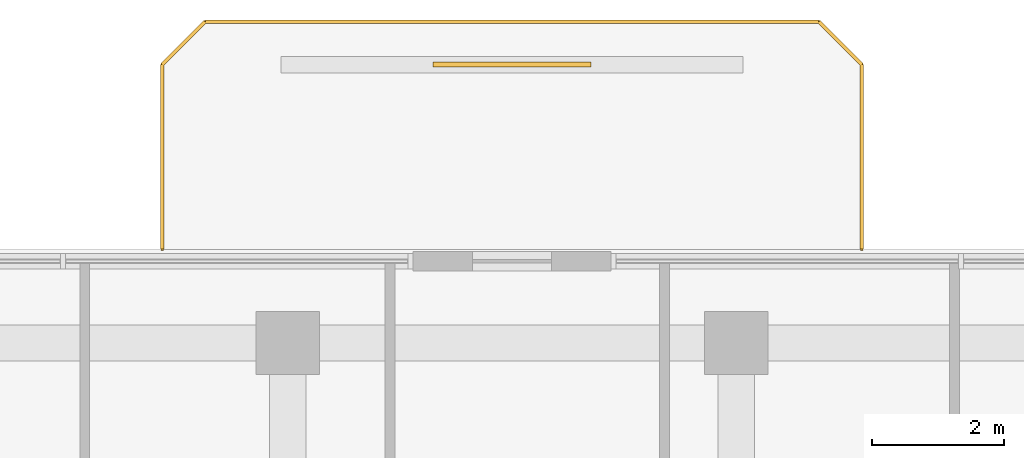
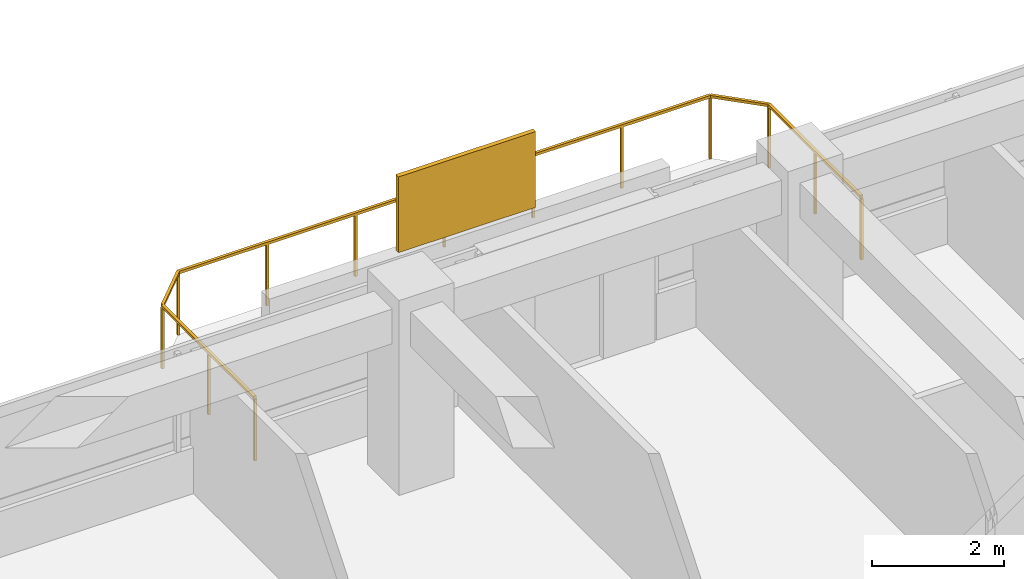
# One storey, part 12 of 12: 1 railing, 1 shading device.
"""IFC4 building model written with IfcOpenShell, lengths in metres."""

from ifc_helpers import new_model, si_unit, derived_unit, direction, frame, origin, origin_2d, place, context, subcontext, project, spatial, rectangle, extrude, material, layer, layer_set, type_object, element, save


model = new_model("IFC4")

# Units and contexts
model_context = context("Model", 3, precision=1e-05, world=origin(), true_north=direction((0.0, 1.0)))
body_context = subcontext(model_context, "Body", "Model", "MODEL_VIEW")
ifc_project = project(units=[si_unit("LENGTHUNIT", "METRE"), si_unit("AREAUNIT", "SQUARE_METRE"), si_unit("VOLUMEUNIT", "CUBIC_METRE"), si_unit("PLANEANGLEUNIT", "RADIAN"), si_unit("MASSUNIT", "GRAM", prefix="KILO"), derived_unit("THERMALTRANSMITTANCEUNIT", [(si_unit("POWERUNIT", "WATT"), 1), (si_unit("LENGTHUNIT", "METRE"), -2), (si_unit("THERMODYNAMICTEMPERATUREUNIT", "KELVIN"), -1)])], contexts=[model_context])

# Site, building, storey
site_placement = place(None, origin())
site = spatial("IfcSite", under=ifc_project, at=site_placement, CompositionType="ELEMENT")
building_placement = place(site_placement, origin())
building = spatial("IfcBuilding", under=site, at=building_placement, Name="Koralith Skygarden Medical Center", CompositionType="ELEMENT")
storey_placement = place(building_placement, frame((0.0, 0.0, 138.419921875)))
storey = spatial("IfcBuildingStorey", under=building, at=storey_placement, Name="L35", CompositionType="ELEMENT", Elevation=138.419921875)

# Railing
ifc_material_1 = material(Name="Steel ASTM A500 Grade C", Category="steel")
railing_type = type_object("IfcRailingType", Name="Outdoor Terrace & Balcony Safety Guardrail 1180", PredefinedType="GUARDRAIL", material=ifc_material_1)
railing_placement = place(storey_placement, frame((42.300048828125, 47.300048828125, 0.0)))
element("IfcRailing", 1, at=railing_placement, inside=storey, type_object=railing_type, Name="L35 N Balcony Perimeter Guardrail", PredefinedType="GUARDRAIL", context=body_context, shape_type="SweptSolid", body=[
    extrude(rectangle(XDim=0.050048828125, YDim=0.050048828125, at=origin_2d()), frame((0.0, 0.001953125, 1.15478515625), z_axis=(0.0, 1.0, 0.0), x_axis=(-1.0, 0.0, 0.0)), (0.0, 0.0, 1.0), 2.796142578125),
    extrude(rectangle(XDim=0.050048828125, YDim=0.050048828125, at=origin_2d()), frame((-0.00146484375, 2.801513671875, 1.15478515625), z_axis=(-0.707239558722, 0.706973978714, 0.0), x_axis=(-0.706973978714, -0.707239558722, 0.0)), (0.0, 0.0, 1.0), 0.915283203125),
    extrude(rectangle(XDim=0.050048828125, YDim=0.050048828125, at=origin_2d()), frame((-0.652099609375, 3.449951171875, 1.15478515625), z_axis=(-1.0, 0.0, 0.0), x_axis=(0.0, -1.0, 0.0)), (0.0, 0.0, 1.0), 9.2958984375),
    extrude(rectangle(XDim=0.050048828125, YDim=0.050048828125, at=origin_2d()), frame((-9.951416015625, 3.448486328125, 1.15478515625), z_axis=(-0.707239558722, -0.706973978714, 0.0), x_axis=(0.706973978714, -0.707239558722, 0.0)), (0.0, 0.0, 1.0), 0.915283203125),
    extrude(rectangle(XDim=0.050048828125, YDim=0.050048828125, at=origin_2d()), frame((-10.60009765625, 2.798095703125, 1.15478515625), z_axis=(0.0, -1.0, 0.0), x_axis=(1.0, 0.0, 0.0)), (0.0, 0.0, 1.0), 2.796142578125),
    extrude(rectangle(XDim=0.0419921875, YDim=0.0419921875, at=origin_2d()), origin(), (0.0, 0.0, 1.0), 1.1279296875),
    extrude(rectangle(XDim=0.0419921875, YDim=0.0419921875, at=origin_2d()), frame((0.0, 1.39990234375, 0.0)), (0.0, 0.0, 1.0), 1.1279296875),
    extrude(rectangle(XDim=0.0419921875, YDim=0.0419921875, at=origin_2d()), frame((0.0, 2.800048828125, 0.0)), (0.0, 0.0, 1.0), 1.1279296875),
    extrude(rectangle(XDim=0.0419921875, YDim=0.0419921875, at=origin_2d()), frame((-0.650146484375, 3.449951171875, 0.0)), (0.0, 0.0, 1.0), 1.1279296875),
    extrude(rectangle(XDim=0.0419921875, YDim=0.0419921875, at=origin_2d()), frame((-2.2001953125, 3.449951171875, 0.0)), (0.0, 0.0, 1.0), 1.1279296875),
    extrude(rectangle(XDim=0.0419921875, YDim=0.0419921875, at=origin_2d()), frame((-3.75, 3.449951171875, 0.0)), (0.0, 0.0, 1.0), 1.1279296875),
    extrude(rectangle(XDim=0.0419921875, YDim=0.0419921875, at=origin_2d()), frame((-5.300048828125, 3.449951171875, 0.0)), (0.0, 0.0, 1.0), 1.1279296875),
    extrude(rectangle(XDim=0.0419921875, YDim=0.0419921875, at=origin_2d()), frame((-6.85009765625, 3.449951171875, 0.0)), (0.0, 0.0, 1.0), 1.1279296875),
    extrude(rectangle(XDim=0.0419921875, YDim=0.0419921875, at=origin_2d()), frame((-8.39990234375, 3.449951171875, 0.0)), (0.0, 0.0, 1.0), 1.1279296875),
    extrude(rectangle(XDim=0.0419921875, YDim=0.0419921875, at=origin_2d()), frame((-9.949951171875, 3.449951171875, 0.0)), (0.0, 0.0, 1.0), 1.1279296875),
    extrude(rectangle(XDim=0.0419921875, YDim=0.0419921875, at=origin_2d()), frame((-10.60009765625, 2.800048828125, 0.0)), (0.0, 0.0, 1.0), 1.1279296875),
    extrude(rectangle(XDim=0.0419921875, YDim=0.0419921875, at=origin_2d()), frame((-10.60009765625, 1.39990234375, 0.0)), (0.0, 0.0, 1.0), 1.1279296875),
    extrude(rectangle(XDim=0.0419921875, YDim=0.0419921875, at=origin_2d()), frame((-10.60009765625, 0.0, 0.0)), (0.0, 0.0, 1.0), 1.1279296875),
])

# Shading device
ifc_material_2 = material(Name="Aluminium 6063-T6", Category="aluminium")
ifc_layer = layer(ifc_material_2, 0.080078125)
ifc_layer_set = layer_set([ifc_layer], Name="Aluminium 6063-T6")
shading_device_type = type_object("IfcShadingDeviceType", Name="Perforated Biophilic Balcony Trellis Screen", PredefinedType="USERDEFINED", material=ifc_layer_set)
shading_device_placement = place(storey_placement, frame((37.0, 50.10009765625, 0.72021484375), z_axis=(0.0, 0.0, 1.0), x_axis=(1.0, 0.0, 0.0)))
element("IfcShadingDevice", 2, at=shading_device_placement, inside=storey, type_object=shading_device_type, Name="L35 N Biophilic Balcony Trellis Screen", ObjectType="HURRICANE SCREEN", PredefinedType="USERDEFINED", context=body_context, shape_type="SweptSolid", body=[
    extrude(rectangle(XDim=2.39990234375, YDim=0.080078125, at=origin_2d()), origin(), (0.0, 0.0, 1.0), 1.39990234375),
])

save(model, "model.ifc")
